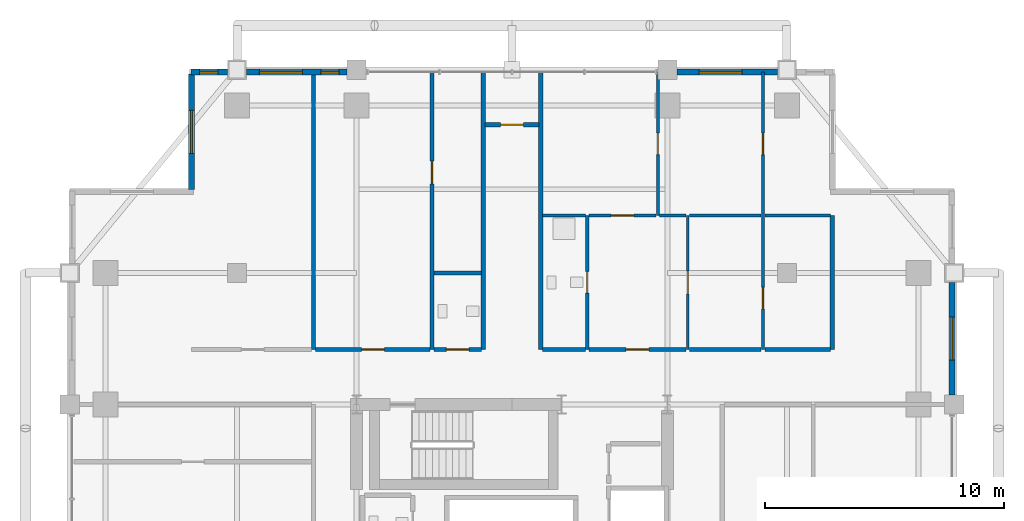
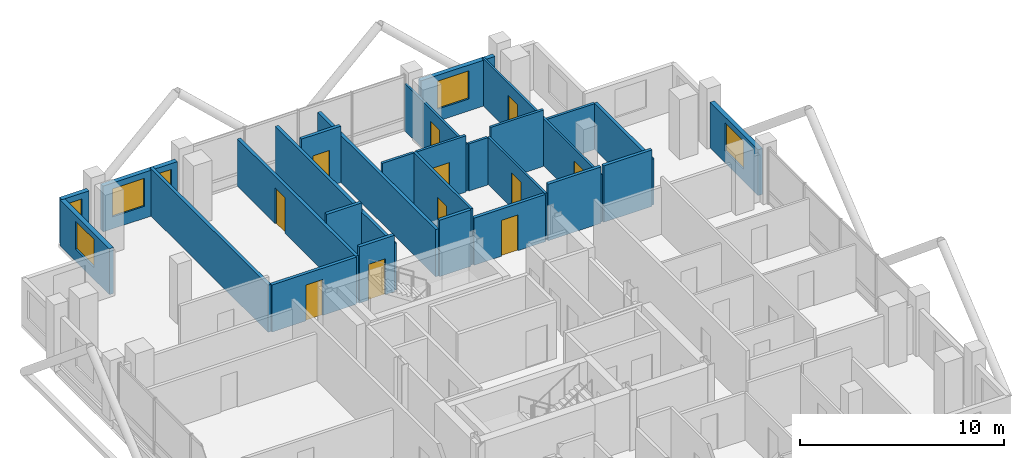
# One storey, part 23 of 26: 27 walls, 11 doors, 6 windows, 17 openings.
"""IFC4 building model written with IfcOpenShell, lengths in metres."""

from ifc_helpers import new_model, si_unit, direction, frame, frame_2d, origin, place, context, subcontext, project, spatial, rectangle, extrude, material, layer, layer_set, type_object, element, fill, save


model = new_model("IFC4")

# Units and contexts
model_context = context("Model", 3, precision=1e-05, world=origin(), true_north=direction((0.0, 1.0)))
body_context = subcontext(model_context, "Body", "Model", "MODEL_VIEW")
ifc_project = project(units=[si_unit("LENGTHUNIT", "METRE"), si_unit("AREAUNIT", "SQUARE_METRE"), si_unit("VOLUMEUNIT", "CUBIC_METRE"), si_unit("PLANEANGLEUNIT", "RADIAN"), si_unit("MASSUNIT", "GRAM", prefix="KILO")], contexts=[model_context])

# Site, building, storey
site_placement = place(None, origin())
site = spatial("IfcSite", under=ifc_project, at=site_placement, CompositionType="ELEMENT")
building_placement = place(site_placement, origin())
building = spatial("IfcBuilding", under=site, at=building_placement, Name="Barlavira Tower and Art Museum", CompositionType="ELEMENT")
storey_placement = place(building_placement, frame((0.0, 0.0, 176.39990234375)))
storey = spatial("IfcBuildingStorey", under=building, at=storey_placement, Name="L45", CompositionType="ELEMENT", Elevation=176.39990234375)

# Wall, opening, door
ifc_material_1 = material(Name="Gypsum acoustic stud partition", Category="gypsum")
ifc_layer_1 = layer(ifc_material_1, 0.1201171875, Name="Gypsum acoustic stud partition")
ifc_layer_set_1 = layer_set([ifc_layer_1], Name="Gypsum acoustic stud partition")
wall_type_1 = type_object("IfcWallType", Name="Apartment Internal Acoustic Partition 120", PredefinedType="PARTITIONING", material=ifc_layer_set_1)
wall_1_placement = place(storey_placement, frame((6.10009765625, 15.39990234375, 0.0), z_axis=(0.0, 0.0, 1.0), x_axis=(0.0, 1.0, 0.0)))
wall_1 = element("IfcWall", 1, at=wall_1_placement, inside=storey, type_object=wall_type_1, Name="L45 Partition Wall 16", PredefinedType="PARTITIONING", context=body_context, shape_type="SweptSolid", body=[
    extrude(rectangle(XDim=6.0, YDim=0.1201171875, at=frame_2d((3.0, 0.0))), origin(), (0.0, 0.0, 1.0), 2.826171875),
])
opening_1_placement = place(wall_1_placement, frame((2.550048828125, 0.0, 0.0)))
opening_1 = element("IfcOpeningElement", 2, at=opening_1_placement, cuts=wall_1, Name="Opening D-01", PredefinedType="OPENING", context=body_context, shape_type="SweptSolid", body=[
    extrude(rectangle(XDim=0.89990234375, YDim=2.10009765625, at=frame_2d((0.449951171875, 1.050048828125))), frame((0.0, 0.070068359375, 0.0), z_axis=(0.0, -1.0, 0.0), x_axis=(1.0, 0.0, 0.0)), (0.0, 0.0, 1.0), 0.14013671875),
])
ifc_material_2 = material(Name="Engineered coastal hardwood", Category="wood")
door_type_1 = type_object("IfcDoorType", Name="Internal Bedroom Timber Flush Door 900x2100", OperationType="NOTDEFINED", PredefinedType="DOOR", material=ifc_material_2)
door_1_placement = place(opening_1_placement, origin())
door_1 = element("IfcDoor", 3, at=door_1_placement, inside=storey, type_object=door_type_1, Name="Apartment NE1 Bedroom 1 Door", OperationType="SINGLE_SWING_LEFT", OverallHeight=2.10009765625, OverallWidth=0.89990234375, PredefinedType="DOOR", context=body_context, shape_type="SweptSolid", body=[
    extrude(rectangle(XDim=0.89990234375, YDim=2.10009765625, at=frame_2d((0.449951171875, 1.050048828125))), frame((0.0, 0.02490234375, 0.0), z_axis=(0.0, -1.0, 0.0), x_axis=(1.0, 0.0, 0.0)), (0.0, 0.0, 1.0), 0.050048828125),
])
fill(opening_1, door_1)

wall_2_placement = place(storey_placement, frame((7.35009765625, 9.800048828125, 0.0), z_axis=(0.0, 0.0, 1.0), x_axis=(0.0, 1.0, 0.0)))
wall_2 = element("IfcWall", 4, at=wall_2_placement, inside=storey, type_object=wall_type_1, Name="L45 Partition Wall 18", PredefinedType="PARTITIONING", context=body_context, shape_type="SweptSolid", body=[
    extrude(rectangle(XDim=5.599853515625, YDim=0.1201171875, at=frame_2d((2.7998046875, 0.0))), origin(), (0.0, 0.0, 1.0), 2.826171875),
])
opening_2_placement = place(wall_2_placement, frame((2.324951171875, 0.0, 0.0)))
opening_2 = element("IfcOpeningElement", 5, at=opening_2_placement, cuts=wall_2, Name="Opening D-02", PredefinedType="OPENING", context=body_context, shape_type="SweptSolid", body=[
    extrude(rectangle(XDim=0.949951171875, YDim=2.10009765625, at=frame_2d((0.47509765625, 1.050048828125))), frame((0.0, 0.070068359375, 0.0), z_axis=(0.0, -1.0, 0.0), x_axis=(1.0, 0.0, 0.0)), (0.0, 0.0, 1.0), 0.14013671875),
])
door_type_2 = type_object("IfcDoorType", Name="Living and Salon Glazed-Leaf Door 950x2100", OperationType="NOTDEFINED", PredefinedType="DOOR", material=ifc_material_2)
door_2_placement = place(opening_2_placement, origin())
door_2 = element("IfcDoor", 6, at=door_2_placement, inside=storey, type_object=door_type_2, Name="Apartment NE1 Kitchen Door", OperationType="SINGLE_SWING_RIGHT", OverallHeight=2.10009765625, OverallWidth=0.949951171875, PredefinedType="DOOR", context=body_context, shape_type="SweptSolid", body=[
    extrude(rectangle(XDim=0.949951171875, YDim=2.10009765625, at=frame_2d((0.47509765625, 1.050048828125))), frame((0.0, 0.02490234375, 0.0), z_axis=(0.0, -1.0, 0.0), x_axis=(1.0, 0.0, 0.0)), (0.0, 0.0, 1.0), 0.050048828125),
])
fill(opening_2, door_2)

# Wall, openings, doors
wall_3_placement = place(storey_placement, frame((10.5, 9.800048828125, 0.0), z_axis=(0.0, 0.0, 1.0), x_axis=(0.0, 1.0, 0.0)))
wall_3 = element("IfcWall", 7, at=wall_3_placement, inside=storey, type_object=wall_type_1, Name="L45 Partition Wall 21", PredefinedType="PARTITIONING", context=body_context, shape_type="SweptSolid", body=[
    extrude(rectangle(XDim=11.599853515625, YDim=0.1201171875, at=frame_2d((5.7998046875, 0.0))), origin(), (0.0, 0.0, 1.0), 2.826171875),
])
opening_3_placement = place(wall_3_placement, frame((1.694091796875, 0.0, 0.0)))
opening_3 = element("IfcOpeningElement", 8, at=opening_3_placement, cuts=wall_3, Name="Opening D-01", PredefinedType="OPENING", context=body_context, shape_type="SweptSolid", body=[
    extrude(rectangle(XDim=0.89990234375, YDim=2.10009765625, at=frame_2d((0.449951171875, 1.050048828125))), frame((0.0, 0.070068359375, 0.0), z_axis=(0.0, -1.0, 0.0), x_axis=(1.0, 0.0, 0.0)), (0.0, 0.0, 1.0), 0.14013671875),
])
opening_4_placement = place(wall_3_placement, frame((8.14990234375, 0.0, 0.0)))
opening_4 = element("IfcOpeningElement", 9, at=opening_4_placement, cuts=wall_3, Name="Opening D-01", PredefinedType="OPENING", context=body_context, shape_type="SweptSolid", body=[
    extrude(rectangle(XDim=0.89990234375, YDim=2.10009765625, at=frame_2d((0.449951171875, 1.050048828125))), frame((0.0, 0.070068359375, 0.0), z_axis=(0.0, -1.0, 0.0), x_axis=(1.0, 0.0, 0.0)), (0.0, 0.0, 1.0), 0.14013671875),
])
door_3_placement = place(opening_3_placement, origin())
door_3 = element("IfcDoor", 10, at=door_3_placement, inside=storey, type_object=door_type_1, Name="Apartment NE1 Walk-In Dressing Room Door", OperationType="SINGLE_SWING_LEFT", OverallHeight=2.10009765625, OverallWidth=0.89990234375, PredefinedType="DOOR", context=body_context, shape_type="SweptSolid", body=[
    extrude(rectangle(XDim=0.89990234375, YDim=2.10009765625, at=frame_2d((0.449951171875, 1.050048828125))), frame((0.0, 0.02490234375, 0.0), z_axis=(0.0, -1.0, 0.0), x_axis=(1.0, 0.0, 0.0)), (0.0, 0.0, 1.0), 0.050048828125),
])
fill(opening_3, door_3)
door_4_placement = place(opening_4_placement, origin())
door_4 = element("IfcDoor", 11, at=door_4_placement, inside=storey, type_object=door_type_1, Name="Apartment NE1 Bedroom 2 Door", OperationType="SINGLE_SWING_RIGHT", OverallHeight=2.10009765625, OverallWidth=0.89990234375, PredefinedType="DOOR", context=body_context, shape_type="SweptSolid", body=[
    extrude(rectangle(XDim=0.89990234375, YDim=2.10009765625, at=frame_2d((0.449951171875, 1.050048828125))), frame((0.0, 0.02490234375, 0.0), z_axis=(0.0, -1.0, 0.0), x_axis=(1.0, 0.0, 0.0)), (0.0, 0.0, 1.0), 0.050048828125),
])
fill(opening_4, door_4)

# Wall
ifc_layer_2 = layer(ifc_material_1, 0.179931640625, Name="Gypsum acoustic stud partition")
ifc_layer_set_2 = layer_set([ifc_layer_2], Name="Gypsum acoustic stud partition")
wall_type_2 = type_object("IfcWallType", Name="Inter-Tenancy Party Partition Wall 180", PredefinedType="PARTITIONING", material=ifc_layer_set_2)
wall_4_placement = place(storey_placement, frame((-8.300048828125, 9.800048828125, 0.0), z_axis=(0.0, 0.0, 1.0), x_axis=(0.0, 1.0, 0.0)))
element("IfcWall", 12, at=wall_4_placement, inside=storey, type_object=wall_type_2, Name="L45 Partition Wall 3", PredefinedType="PARTITIONING", context=body_context, shape_type="SweptSolid", body=[
    extrude(rectangle(XDim=11.599853515625, YDim=0.179931640625, at=frame_2d((5.7998046875, 0.0))), origin(), (0.0, 0.0, 1.0), 2.826171875),
])

# Wall, opening, door
wall_5_placement = place(storey_placement, frame((-3.35009765625, 9.800048828125, 0.0), z_axis=(0.0, 0.0, 1.0), x_axis=(0.0, 1.0, 0.0)))
wall_5 = element("IfcWall", 13, at=wall_5_placement, inside=storey, type_object=wall_type_2, Name="L45 Partition Wall 7", PredefinedType="PARTITIONING", context=body_context, shape_type="SweptSolid", body=[
    extrude(rectangle(XDim=11.599853515625, YDim=0.179931640625, at=frame_2d((5.7998046875, 0.0))), origin(), (0.0, 0.0, 1.0), 2.826171875),
])
opening_5_placement = place(wall_5_placement, frame((6.925048828125, 0.0, 0.0)))
opening_5 = element("IfcOpeningElement", 14, at=opening_5_placement, cuts=wall_5, Name="Opening FD-60", PredefinedType="OPENING", context=body_context, shape_type="SweptSolid", body=[
    extrude(rectangle(XDim=0.949951171875, YDim=2.14990234375, at=frame_2d((0.47509765625, 1.074951171875))), frame((0.0, 0.10009765625, 0.0), z_axis=(0.0, -1.0, 0.0), x_axis=(1.0, 0.0, 0.0)), (0.0, 0.0, 1.0), 0.199951171875),
])
ifc_material_3 = material(Name="Brushed stainless steel", Category="steel")
door_type_3 = type_object("IfcDoorType", Name="Apartment Entrance and Riser Fire Door 950x2150 FD60S", OperationType="NOTDEFINED", PredefinedType="DOOR", material=ifc_material_3)
door_5_placement = place(opening_5_placement, origin())
door_5 = element("IfcDoor", 15, at=door_5_placement, inside=storey, type_object=door_type_3, Name="Thermal Relaxation Lounge Door", OperationType="SINGLE_SWING_LEFT", OverallHeight=2.14990234375, OverallWidth=0.949951171875, PredefinedType="DOOR", context=body_context, shape_type="SweptSolid", body=[
    extrude(rectangle(XDim=0.949951171875, YDim=2.14990234375, at=frame_2d((0.47509765625, 1.074951171875))), frame((0.0, 0.02490234375, 0.0), z_axis=(0.0, -1.0, 0.0), x_axis=(1.0, 0.0, 0.0)), (0.0, 0.0, 1.0), 0.050048828125),
])
fill(opening_5, door_5)

# Walls
for number, where, z_axis, x_axis, name in (
    (16, (-1.199951171875, 9.800048828125, 0.0), (0.0, 0.0, 1.0), (0.0, 1.0, 0.0), "L45 Partition Wall 9"),
    (17, (1.199951171875, 9.800048828125, 0.0), (0.0, 0.0, 1.0), (0.0, 1.0, 0.0), "L45 Partition Wall 11"),
):
    element("IfcWall", number, at=place(storey_placement, frame(where, z_axis=z_axis, x_axis=x_axis)), inside=storey, type_object=wall_type_2, Name=name, PredefinedType="PARTITIONING", context=body_context, shape_type="SweptSolid", body=[
        extrude(rectangle(XDim=11.599853515625, YDim=0.179931640625, at=frame_2d((5.7998046875, 0.0))), origin(), (0.0, 0.0, 1.0), 2.826171875),
    ])
wall_6_placement = place(storey_placement, frame((13.39990234375, 9.800048828125, 0.0), z_axis=(0.0, 0.0, 1.0), x_axis=(0.0, 1.0, 0.0)))
element("IfcWall", 18, at=wall_6_placement, inside=storey, type_object=wall_type_2, Name="L45 Partition Wall 24", PredefinedType="PARTITIONING", context=body_context, shape_type="SweptSolid", body=[
    extrude(rectangle(XDim=5.599853515625, YDim=0.179931640625, at=frame_2d((2.7998046875, 0.0))), origin(), (0.0, 0.0, 1.0), 2.748046875),
])

# Wall, opening, door
wall_7_placement = place(storey_placement, frame((-8.219970703125, 9.800048828125, 0.0), z_axis=(0.0, 0.0, 1.0), x_axis=(1.0, 0.0, 0.0)))
wall_7 = element("IfcWall", 19, at=wall_7_placement, inside=storey, type_object=wall_type_2, Name="L45 Partition Wall 56", PredefinedType="PARTITIONING", context=body_context, shape_type="SweptSolid", body=[
    extrude(rectangle(XDim=4.7900390625, YDim=0.179931640625, at=frame_2d((2.39501953125, 0.0))), origin(), (0.0, 0.0, 1.0), 2.826171875),
])
opening_6_placement = place(wall_7_placement, frame((1.93505859375, 0.0, 0.0)))
opening_6 = element("IfcOpeningElement", 20, at=opening_6_placement, cuts=wall_7, Name="Opening FD-60", PredefinedType="OPENING", context=body_context, shape_type="SweptSolid", body=[
    extrude(rectangle(XDim=0.949951171875, YDim=2.14990234375, at=frame_2d((0.47509765625, 1.074951171875))), frame((0.0, 0.10009765625, 0.0), z_axis=(0.0, -1.0, 0.0), x_axis=(1.0, 0.0, 0.0)), (0.0, 0.0, 1.0), 0.199951171875),
])
door_6_placement = place(opening_6_placement, origin())
door_6 = element("IfcDoor", 21, at=door_6_placement, inside=storey, type_object=door_type_3, Name="Coastal Hydrotherapy and Yoga Lounge Door", OperationType="SINGLE_SWING_LEFT", OverallHeight=2.14990234375, OverallWidth=0.949951171875, PredefinedType="DOOR", context=body_context, shape_type="SweptSolid", body=[
    extrude(rectangle(XDim=0.949951171875, YDim=2.14990234375, at=frame_2d((0.47509765625, 1.074951171875))), frame((0.0, 0.02490234375, 0.0), z_axis=(0.0, -1.0, 0.0), x_axis=(1.0, 0.0, 0.0)), (0.0, 0.0, 1.0), 0.050048828125),
])
fill(opening_6, door_6)

wall_8_placement = place(storey_placement, frame((-3.27001953125, 9.800048828125, 0.0), z_axis=(0.0, 0.0, 1.0), x_axis=(1.0, 0.0, 0.0)))
wall_8 = element("IfcWall", 22, at=wall_8_placement, inside=storey, type_object=wall_type_2, Name="L45 Partition Wall 57", PredefinedType="PARTITIONING", context=body_context, shape_type="SweptSolid", body=[
    extrude(rectangle(XDim=1.989990234375, YDim=0.179931640625, at=frame_2d((0.9951171875, 0.0))), origin(), (0.0, 0.0, 1.0), 3.380126953125),
])
opening_7_placement = place(wall_8_placement, frame((0.52490234375, 0.0, 0.0)))
opening_7 = element("IfcOpeningElement", 23, at=opening_7_placement, cuts=wall_8, Name="Opening FD-60", PredefinedType="OPENING", context=body_context, shape_type="SweptSolid", body=[
    extrude(rectangle(XDim=0.949951171875, YDim=2.14990234375, at=frame_2d((0.47509765625, 1.074951171875))), frame((0.0, 0.10009765625, 0.0), z_axis=(0.0, -1.0, 0.0), x_axis=(1.0, 0.0, 0.0)), (0.0, 0.0, 1.0), 0.199951171875),
])
door_7_placement = place(opening_7_placement, origin())
door_7 = element("IfcDoor", 24, at=door_7_placement, inside=storey, type_object=door_type_3, Name="Wellness Changing and Accessible Shower WC Door", OperationType="SINGLE_SWING_RIGHT", OverallHeight=2.14990234375, OverallWidth=0.949951171875, PredefinedType="DOOR", context=body_context, shape_type="SweptSolid", body=[
    extrude(rectangle(XDim=0.949951171875, YDim=2.14990234375, at=frame_2d((0.47509765625, 1.074951171875))), frame((0.0, 0.02490234375, 0.0), z_axis=(0.0, -1.0, 0.0), x_axis=(1.0, 0.0, 0.0)), (0.0, 0.0, 1.0), 0.050048828125),
])
fill(opening_7, door_7)

# Wall
wall_9_placement = place(storey_placement, frame((1.280029296875, 9.800048828125, 0.0), z_axis=(0.0, 0.0, 1.0), x_axis=(1.0, 0.0, 0.0)))
element("IfcWall", 25, at=wall_9_placement, inside=storey, type_object=wall_type_2, Name="L45 Partition Wall 58", PredefinedType="PARTITIONING", context=body_context, shape_type="SweptSolid", body=[
    extrude(rectangle(XDim=1.7900390625, YDim=0.179931640625, at=frame_2d((0.89501953125, 0.0))), origin(), (0.0, 0.0, 1.0), 3.380126953125),
])

# Wall, opening, door
wall_10_placement = place(storey_placement, frame((3.22998046875, 9.800048828125, 0.0), z_axis=(0.0, 0.0, 1.0), x_axis=(1.0, 0.0, 0.0)))
wall_10 = element("IfcWall", 26, at=wall_10_placement, inside=storey, type_object=wall_type_2, Name="L45 Partition Wall 59", PredefinedType="PARTITIONING", context=body_context, shape_type="SweptSolid", body=[
    extrude(rectangle(XDim=4.0400390625, YDim=0.179931640625, at=frame_2d((2.02001953125, 0.0))), origin(), (0.0, 0.0, 1.0), 2.826171875),
])
opening_8_placement = place(wall_10_placement, frame((1.544921875, 0.0, 0.0)))
opening_8 = element("IfcOpeningElement", 27, at=opening_8_placement, cuts=wall_10, Name="Opening FD-60", PredefinedType="OPENING", context=body_context, shape_type="SweptSolid", body=[
    extrude(rectangle(XDim=0.949951171875, YDim=2.14990234375, at=frame_2d((0.47509765625, 1.074951171875))), frame((0.0, 0.10009765625, 0.0), z_axis=(0.0, -1.0, 0.0), x_axis=(1.0, 0.0, 0.0)), (0.0, 0.0, 1.0), 0.199951171875),
])
door_8_placement = place(opening_8_placement, origin())
door_8 = element("IfcDoor", 28, at=door_8_placement, inside=storey, type_object=door_type_3, Name="Apartment Entrance Hall NE1 Door", OperationType="SINGLE_SWING_LEFT", OverallHeight=2.14990234375, OverallWidth=0.949951171875, PredefinedType="DOOR", context=body_context, shape_type="SweptSolid", body=[
    extrude(rectangle(XDim=0.949951171875, YDim=2.14990234375, at=frame_2d((0.47509765625, 1.074951171875))), frame((0.0, 0.02490234375, 0.0), z_axis=(0.0, -1.0, 0.0), x_axis=(1.0, 0.0, 0.0)), (0.0, 0.0, 1.0), 0.050048828125),
])
fill(opening_8, door_8)

# Walls
wall_11_placement = place(storey_placement, frame((7.429931640625, 9.800048828125, 0.0), z_axis=(0.0, 0.0, 1.0), x_axis=(1.0, 0.0, 0.0)))
element("IfcWall", 29, at=wall_11_placement, inside=storey, type_object=wall_type_2, Name="L45 Partition Wall 60", PredefinedType="PARTITIONING", context=body_context, shape_type="SweptSolid", body=[
    extrude(rectangle(XDim=2.989990234375, YDim=0.179931640625, at=frame_2d((1.4951171875, 0.0))), origin(), (0.0, 0.0, 1.0), 3.380126953125),
])
wall_12_placement = place(storey_placement, frame((10.580078125, 9.800048828125, 0.0), z_axis=(0.0, 0.0, 1.0), x_axis=(1.0, 0.0, 0.0)))
element("IfcWall", 30, at=wall_12_placement, inside=storey, type_object=wall_type_2, Name="L45 Partition Wall 61", PredefinedType="PARTITIONING", context=body_context, shape_type="SweptSolid", body=[
    extrude(rectangle(XDim=2.739990234375, YDim=0.179931640625, at=frame_2d((1.3701171875, 0.0))), origin(), (0.0, 0.0, 1.0), 3.380126953125),
])
wall_13_placement = place(storey_placement, frame((-3.27001953125, 13.0, 0.0), z_axis=(0.0, 0.0, 1.0), x_axis=(1.0, 0.0, 0.0)))
element("IfcWall", 31, at=wall_13_placement, inside=storey, type_object=wall_type_2, Name="L45 Partition Wall 62", PredefinedType="PARTITIONING", context=body_context, shape_type="SweptSolid", body=[
    extrude(rectangle(XDim=1.989990234375, YDim=0.179931640625, at=frame_2d((0.9951171875, 0.0))), origin(), (0.0, 0.0, 1.0), 3.380126953125),
])

# Wall, opening, door
wall_14_placement = place(storey_placement, frame((-1.1201171875, 19.199951171875, 0.0), z_axis=(0.0, 0.0, 1.0), x_axis=(1.0, 0.0, 0.0)))
wall_14 = element("IfcWall", 32, at=wall_14_placement, inside=storey, type_object=wall_type_2, Name="L45 Partition Wall 68", PredefinedType="PARTITIONING", context=body_context, shape_type="SweptSolid", body=[
    extrude(rectangle(XDim=2.240234375, YDim=0.179931640625, at=frame_2d((1.1201171875, 0.0))), origin(), (0.0, 0.0, 1.0), 3.380126953125),
])
opening_9_placement = place(wall_14_placement, frame((0.64501953125, 0.0, 0.0)))
opening_9 = element("IfcOpeningElement", 33, at=opening_9_placement, cuts=wall_14, Name="Opening FD-60", PredefinedType="OPENING", context=body_context, shape_type="SweptSolid", body=[
    extrude(rectangle(XDim=0.949951171875, YDim=2.14990234375, at=frame_2d((0.47509765625, 1.074951171875))), frame((0.0, 0.10009765625, 0.0), z_axis=(0.0, -1.0, 0.0), x_axis=(1.0, 0.0, 0.0)), (0.0, 0.0, 1.0), 0.199951171875),
])
door_9_placement = place(opening_9_placement, origin())
door_9 = element("IfcDoor", 34, at=door_9_placement, inside=storey, type_object=door_type_3, Name="L45 North Ocean Alcove Door", OperationType="SINGLE_SWING_LEFT", OverallHeight=2.14990234375, OverallWidth=0.949951171875, PredefinedType="DOOR", context=body_context, shape_type="SweptSolid", body=[
    extrude(rectangle(XDim=0.949951171875, YDim=2.14990234375, at=frame_2d((0.47509765625, 1.074951171875))), frame((0.0, 0.02490234375, 0.0), z_axis=(0.0, -1.0, 0.0), x_axis=(1.0, 0.0, 0.0)), (0.0, 0.0, 1.0), 0.050048828125),
])
fill(opening_9, door_9)

ifc_layer_3 = layer(ifc_material_1, 0.139892578125, Name="Gypsum acoustic stud partition")
ifc_layer_set_3 = layer_set([ifc_layer_3], Name="Gypsum acoustic stud partition")
wall_type_3 = type_object("IfcWallType", Name="Moisture-Resistant Bathroom Partition 140", PredefinedType="PARTITIONING", material=ifc_layer_set_3)
wall_15_placement = place(storey_placement, frame((3.14990234375, 9.800048828125, 0.0), z_axis=(0.0, 0.0, 1.0), x_axis=(0.0, 1.0, 0.0)))
wall_15 = element("IfcWall", 35, at=wall_15_placement, inside=storey, type_object=wall_type_3, Name="L45 Partition Wall 13", PredefinedType="PARTITIONING", context=body_context, shape_type="SweptSolid", body=[
    extrude(rectangle(XDim=5.599853515625, YDim=0.139892578125, at=frame_2d((2.7998046875, 0.0))), origin(), (0.0, 0.0, 1.0), 3.380126953125),
])
opening_10_placement = place(wall_15_placement, frame((2.35009765625, 0.0, 0.0)))
opening_10 = element("IfcOpeningElement", 36, at=opening_10_placement, cuts=wall_15, Name="Opening D-WC", PredefinedType="OPENING", context=body_context, shape_type="SweptSolid", body=[
    extrude(rectangle(XDim=0.89990234375, YDim=2.10009765625, at=frame_2d((0.449951171875, 1.050048828125))), frame((0.0, 0.080078125, 0.0), z_axis=(0.0, -1.0, 0.0), x_axis=(1.0, 0.0, 0.0)), (0.0, 0.0, 1.0), 0.159912109375),
])
door_type_4 = type_object("IfcDoorType", Name="Accessible Bathroom Flush Door 900x2100", OperationType="NOTDEFINED", PredefinedType="DOOR", material=ifc_material_2)
door_10_placement = place(opening_10_placement, origin())
door_10 = element("IfcDoor", 37, at=door_10_placement, inside=storey, type_object=door_type_4, Name="Apartment NE1 Hall Bathroom Door", OperationType="SINGLE_SWING_RIGHT", OverallHeight=2.10009765625, OverallWidth=0.89990234375, PredefinedType="DOOR", context=body_context, shape_type="SweptSolid", body=[
    extrude(rectangle(XDim=0.89990234375, YDim=2.10009765625, at=frame_2d((0.449951171875, 1.050048828125))), frame((0.0, 0.02490234375, 0.0), z_axis=(0.0, -1.0, 0.0), x_axis=(1.0, 0.0, 0.0)), (0.0, 0.0, 1.0), 0.050048828125),
])
fill(opening_10, door_10)

# Wall
wall_16_placement = place(storey_placement, frame((1.280029296875, 15.39990234375, 0.0), z_axis=(0.0, 0.0, 1.0), x_axis=(1.0, 0.0, 0.0)))
element("IfcWall", 38, at=wall_16_placement, inside=storey, type_object=wall_type_3, Name="L45 Partition Wall 63", PredefinedType="PARTITIONING", context=body_context, shape_type="SweptSolid", body=[
    extrude(rectangle(XDim=1.7900390625, YDim=0.139892578125, at=frame_2d((0.89501953125, 0.0))), origin(), (0.0, 0.0, 1.0), 3.380126953125),
])

# Wall, opening, door
wall_17_placement = place(storey_placement, frame((3.22998046875, 15.39990234375, 0.0), z_axis=(0.0, 0.0, 1.0), x_axis=(1.0, 0.0, 0.0)))
wall_17 = element("IfcWall", 39, at=wall_17_placement, inside=storey, type_object=wall_type_3, Name="L45 Partition Wall 64", PredefinedType="PARTITIONING", context=body_context, shape_type="SweptSolid", body=[
    extrude(rectangle(XDim=2.7900390625, YDim=0.139892578125, at=frame_2d((1.39501953125, 0.0))), origin(), (0.0, 0.0, 1.0), 3.380126953125),
])
opening_11_placement = place(wall_17_placement, frame((0.9150390625, 0.0, 0.0)))
opening_11 = element("IfcOpeningElement", 40, at=opening_11_placement, cuts=wall_17, Name="Opening D-02", PredefinedType="OPENING", context=body_context, shape_type="SweptSolid", body=[
    extrude(rectangle(XDim=0.949951171875, YDim=2.10009765625, at=frame_2d((0.47509765625, 1.050048828125))), frame((0.0, 0.080078125, 0.0), z_axis=(0.0, -1.0, 0.0), x_axis=(1.0, 0.0, 0.0)), (0.0, 0.0, 1.0), 0.159912109375),
])
door_11_placement = place(opening_11_placement, origin())
door_11 = element("IfcDoor", 41, at=door_11_placement, inside=storey, type_object=door_type_2, Name="Apartment NE1 Living Lounge Door", OperationType="SINGLE_SWING_RIGHT", OverallHeight=2.10009765625, OverallWidth=0.949951171875, PredefinedType="DOOR", context=body_context, shape_type="SweptSolid", body=[
    extrude(rectangle(XDim=0.949951171875, YDim=2.10009765625, at=frame_2d((0.47509765625, 1.050048828125))), frame((0.0, 0.02490234375, 0.0), z_axis=(0.0, -1.0, 0.0), x_axis=(1.0, 0.0, 0.0)), (0.0, 0.0, 1.0), 0.050048828125),
])
fill(opening_11, door_11)

# Walls
wall_18_placement = place(storey_placement, frame((6.179931640625, 15.39990234375, 0.0), z_axis=(0.0, 0.0, 1.0), x_axis=(1.0, 0.0, 0.0)))
element("IfcWall", 42, at=wall_18_placement, inside=storey, type_object=wall_type_3, Name="L45 Partition Wall 65", PredefinedType="PARTITIONING", context=body_context, shape_type="SweptSolid", body=[
    extrude(rectangle(XDim=1.090087890625, YDim=0.139892578125, at=frame_2d((0.544921875, 0.0))), origin(), (0.0, 0.0, 1.0), 2.826171875),
])
wall_19_placement = place(storey_placement, frame((7.429931640625, 15.39990234375, 0.0), z_axis=(0.0, 0.0, 1.0), x_axis=(1.0, 0.0, 0.0)))
element("IfcWall", 43, at=wall_19_placement, inside=storey, type_object=wall_type_3, Name="L45 Partition Wall 66", PredefinedType="PARTITIONING", context=body_context, shape_type="SweptSolid", body=[
    extrude(rectangle(XDim=2.989990234375, YDim=0.139892578125, at=frame_2d((1.4951171875, 0.0))), origin(), (0.0, 0.0, 1.0), 3.380126953125),
])
wall_20_placement = place(storey_placement, frame((10.580078125, 15.39990234375, 0.0), z_axis=(0.0, 0.0, 1.0), x_axis=(1.0, 0.0, 0.0)))
element("IfcWall", 44, at=wall_20_placement, inside=storey, type_object=wall_type_3, Name="L45 Partition Wall 67", PredefinedType="PARTITIONING", context=body_context, shape_type="SweptSolid", body=[
    extrude(rectangle(XDim=2.739990234375, YDim=0.139892578125, at=frame_2d((1.3701171875, 0.0))), origin(), (0.0, 0.0, 1.0), 2.748046875),
])

# Wall, opening, window
ifc_material_4 = material(Name="Precast concrete C40", Category="concrete")
ifc_layer_4 = layer(ifc_material_4, 0.25, Name="Precast concrete C40")
ifc_layer_set_4 = layer_set([ifc_layer_4], Name="Precast concrete C40")
wall_type_4 = type_object("IfcWallType", Name="Notched Corner Spandrel Wall 250 Precast Concrete C40", PredefinedType="SOLIDWALL", material=ifc_layer_set_4)
wall_21_placement = place(storey_placement, frame((11.10498046875, 21.39990234375, 0.0), z_axis=(0.0, 0.0, 1.0), x_axis=(-1.0, 0.0, 0.0)))
wall_21 = element("IfcWall", 45, at=wall_21_placement, inside=storey, type_object=wall_type_4, Name="L45 Coastal Facade Pier Wall CW3-L45-N-2", PredefinedType="SOLIDWALL", context=body_context, shape_type="SweptSolid", body=[
    extrude(rectangle(XDim=4.2099609375, YDim=0.25, at=frame_2d((2.10498046875, 0.0))), origin(), (0.0, 0.0, 1.0), 2.748046875),
])
opening_12_placement = place(wall_21_placement, frame((1.47509765625, 0.0, 0.719970703125)))
opening_12 = element("IfcOpeningElement", 46, at=opening_12_placement, cuts=wall_21, Name="Opening WN-01", PredefinedType="OPENING", context=body_context, shape_type="SweptSolid", body=[
    extrude(rectangle(XDim=1.800048828125, YDim=1.679931640625, at=frame_2d((0.89990234375, 0.83984375))), frame((0.0, 0.135009765625, 0.0), z_axis=(0.0, -1.0, 0.0), x_axis=(1.0, 0.0, 0.0)), (0.0, 0.0, 1.0), 0.27001953125),
])
ifc_material_5 = material(Name="Low-iron coastal laminated glass", Category="glass")
window_type_1 = type_object("IfcWindowType", Name="Recessed Notch Corner Punch Window 1800x1680", PartitioningType="SINGLE_PANEL", PredefinedType="WINDOW", material=ifc_material_5)
window_1_placement = place(opening_12_placement, origin())
window_1 = element("IfcWindow", 47, at=window_1_placement, inside=storey, type_object=window_type_1, Name="L45 Punched Facade Window EWP-CW3-L45-N-2-1", OverallHeight=1.679931640625, OverallWidth=1.800048828125, PartitioningType="SINGLE_PANEL", PredefinedType="WINDOW", context=body_context, shape_type="SweptSolid", body=[
    extrude(rectangle(XDim=1.800048828125, YDim=1.679931640625, at=frame_2d((0.89990234375, 0.83984375))), frame((0.0, 0.030029296875, 0.0), z_axis=(0.0, -1.0, 0.0), x_axis=(1.0, 0.0, 0.0)), (0.0, 0.0, 1.0), 0.06005859375),
])
fill(opening_12, window_1)

# Wall, openings, windows
wall_22_placement = place(storey_placement, frame((-6.89501953125, 21.39990234375, 0.0), z_axis=(0.0, 0.0, 1.0), x_axis=(-1.0, 0.0, 0.0)))
wall_22 = element("IfcWall", 48, at=wall_22_placement, inside=storey, type_object=wall_type_4, Name="L45 Coastal Facade Pier Wall CW3-L45-N-4", PredefinedType="SOLIDWALL", context=body_context, shape_type="SweptSolid", body=[
    extrude(rectangle(XDim=4.2099609375, YDim=0.25, at=frame_2d((2.10498046875, 0.0))), origin(), (0.0, 0.0, 1.0), 2.748046875),
])
opening_13_placement = place(wall_22_placement, frame((0.3349609375, 0.0, 0.719970703125)))
opening_13 = element("IfcOpeningElement", 49, at=opening_13_placement, cuts=wall_22, Name="Opening WN-06", PredefinedType="OPENING", context=body_context, shape_type="SweptSolid", body=[
    extrude(rectangle(XDim=0.760009765625, YDim=1.679931640625, at=frame_2d((0.3798828125, 0.83984375))), frame((0.0, 0.135009765625, 0.0), z_axis=(0.0, -1.0, 0.0), x_axis=(1.0, 0.0, 0.0)), (0.0, 0.0, 1.0), 0.27001953125),
])
opening_14_placement = place(wall_22_placement, frame((1.875, 0.0, 0.719970703125)))
opening_14 = element("IfcOpeningElement", 50, at=opening_14_placement, cuts=wall_22, Name="Opening WN-01", PredefinedType="OPENING", context=body_context, shape_type="SweptSolid", body=[
    extrude(rectangle(XDim=1.800048828125, YDim=1.679931640625, at=frame_2d((0.89990234375, 0.83984375))), frame((0.0, 0.135009765625, 0.0), z_axis=(0.0, -1.0, 0.0), x_axis=(1.0, 0.0, 0.0)), (0.0, 0.0, 1.0), 0.27001953125),
])
window_type_2 = type_object("IfcWindowType", Name="Recessed Narrow Pier Window 760x1680", PartitioningType="SINGLE_PANEL", PredefinedType="WINDOW", material=ifc_material_5)
window_2_placement = place(opening_13_placement, origin())
window_2 = element("IfcWindow", 51, at=window_2_placement, inside=storey, type_object=window_type_2, Name="L45 Punched Facade Window EWP-CW3-L45-N-4-1", OverallHeight=1.679931640625, OverallWidth=0.760009765625, PartitioningType="SINGLE_PANEL", PredefinedType="WINDOW", context=body_context, shape_type="SweptSolid", body=[
    extrude(rectangle(XDim=0.760009765625, YDim=1.679931640625, at=frame_2d((0.3798828125, 0.83984375))), frame((0.0, 0.030029296875, 0.0), z_axis=(0.0, -1.0, 0.0), x_axis=(1.0, 0.0, 0.0)), (0.0, 0.0, 1.0), 0.06005859375),
])
fill(opening_13, window_2)
window_3_placement = place(opening_14_placement, origin())
window_3 = element("IfcWindow", 52, at=window_3_placement, inside=storey, type_object=window_type_1, Name="L45 Punched Facade Window EWP-CW3-L45-N-4-2", OverallHeight=1.679931640625, OverallWidth=1.800048828125, PartitioningType="SINGLE_PANEL", PredefinedType="WINDOW", context=body_context, shape_type="SweptSolid", body=[
    extrude(rectangle(XDim=1.800048828125, YDim=1.679931640625, at=frame_2d((0.89990234375, 0.83984375))), frame((0.0, 0.030029296875, 0.0), z_axis=(0.0, -1.0, 0.0), x_axis=(1.0, 0.0, 0.0)), (0.0, 0.0, 1.0), 0.06005859375),
])
fill(opening_14, window_3)

# Wall, opening, window
wall_23_placement = place(storey_placement, frame((-11.89501953125, 21.39990234375, 0.0), z_axis=(0.0, 0.0, 1.0), x_axis=(-1.0, 0.0, 0.0)))
wall_23 = element("IfcWall", 53, at=wall_23_placement, inside=storey, type_object=wall_type_4, Name="L45 Coastal Facade Pier Wall CW3-L45-N-5", PredefinedType="SOLIDWALL", context=body_context, shape_type="SweptSolid", body=[
    extrude(rectangle(XDim=1.530029296875, YDim=0.25, at=frame_2d((0.76513671875, 0.0))), origin(), (0.0, 0.0, 1.0), 2.748046875),
])
opening_15_placement = place(wall_23_placement, frame((0.407958984375, 0.0, 0.719970703125)))
opening_15 = element("IfcOpeningElement", 54, at=opening_15_placement, cuts=wall_23, Name="Opening WN-06", PredefinedType="OPENING", context=body_context, shape_type="SweptSolid", body=[
    extrude(rectangle(XDim=0.760009765625, YDim=1.679931640625, at=frame_2d((0.3798828125, 0.83984375))), frame((0.0, 0.135009765625, 0.0), z_axis=(0.0, -1.0, 0.0), x_axis=(1.0, 0.0, 0.0)), (0.0, 0.0, 1.0), 0.27001953125),
])
window_4_placement = place(opening_15_placement, origin())
window_4 = element("IfcWindow", 55, at=window_4_placement, inside=storey, type_object=window_type_2, Name="L45 Punched Facade Window EWP-CW3-L45-N-5-1", OverallHeight=1.679931640625, OverallWidth=0.760009765625, PartitioningType="SINGLE_PANEL", PredefinedType="WINDOW", context=body_context, shape_type="SweptSolid", body=[
    extrude(rectangle(XDim=0.760009765625, YDim=1.679931640625, at=frame_2d((0.3798828125, 0.83984375))), frame((0.0, 0.030029296875, 0.0), z_axis=(0.0, -1.0, 0.0), x_axis=(1.0, 0.0, 0.0)), (0.0, 0.0, 1.0), 0.06005859375),
])
fill(opening_15, window_4)

wall_24_placement = place(storey_placement, frame((18.39990234375, 7.89501953125, 0.0), z_axis=(0.0, 0.0, 1.0), x_axis=(0.0, 1.0, 0.0)))
wall_24 = element("IfcWall", 56, at=wall_24_placement, inside=storey, type_object=wall_type_4, Name="L45 Coastal Facade Pier Wall CW3-L45-E-4", PredefinedType="SOLIDWALL", context=body_context, shape_type="SweptSolid", body=[
    extrude(rectangle(XDim=4.7099609375, YDim=0.25, at=frame_2d((2.35498046875, 0.0))), origin(), (0.0, 0.0, 1.0), 2.748046875),
])
opening_16_placement = place(wall_24_placement, frame((1.455078125, 0.0, 0.719970703125)))
opening_16 = element("IfcOpeningElement", 57, at=opening_16_placement, cuts=wall_24, Name="Opening WN-01", PredefinedType="OPENING", context=body_context, shape_type="SweptSolid", body=[
    extrude(rectangle(XDim=1.800048828125, YDim=1.679931640625, at=frame_2d((0.89990234375, 0.83984375))), frame((0.0, 0.135009765625, 0.0), z_axis=(0.0, -1.0, 0.0), x_axis=(1.0, 0.0, 0.0)), (0.0, 0.0, 1.0), 0.27001953125),
])
window_5_placement = place(opening_16_placement, origin())
window_5 = element("IfcWindow", 58, at=window_5_placement, inside=storey, type_object=window_type_1, Name="L45 Punched Facade Window EWP-CW3-L45-E-4-1", OverallHeight=1.679931640625, OverallWidth=1.800048828125, PartitioningType="SINGLE_PANEL", PredefinedType="WINDOW", context=body_context, shape_type="SweptSolid", body=[
    extrude(rectangle(XDim=1.800048828125, YDim=1.679931640625, at=frame_2d((0.89990234375, 0.83984375))), frame((0.0, 0.030029296875, 0.0), z_axis=(0.0, -1.0, 0.0), x_axis=(1.0, 0.0, 0.0)), (0.0, 0.0, 1.0), 0.06005859375),
])
fill(opening_16, window_5)

wall_25_placement = place(storey_placement, frame((-13.39990234375, 21.320068359375, 0.0), z_axis=(0.0, 0.0, 1.0), x_axis=(0.0, -1.0, 0.0)))
wall_25 = element("IfcWall", 59, at=wall_25_placement, inside=storey, type_object=wall_type_4, Name="L45 Notch Corner Wall NW1", PredefinedType="SOLIDWALL", context=body_context, shape_type="SweptSolid", body=[
    extrude(rectangle(XDim=4.840087890625, YDim=0.25, at=frame_2d((2.419921875, 0.0))), origin(), (0.0, 0.0, 1.0), 2.748046875),
])
opening_17_placement = place(wall_25_placement, frame((1.52001953125, 0.0, 0.719970703125)))
opening_17 = element("IfcOpeningElement", 60, at=opening_17_placement, cuts=wall_25, Name="Opening WN-01", PredefinedType="OPENING", context=body_context, shape_type="SweptSolid", body=[
    extrude(rectangle(XDim=1.800048828125, YDim=1.679931640625, at=frame_2d((0.89990234375, 0.83984375))), frame((0.0, 0.135009765625, 0.0), z_axis=(0.0, -1.0, 0.0), x_axis=(1.0, 0.0, 0.0)), (0.0, 0.0, 1.0), 0.27001953125),
])
window_6_placement = place(opening_17_placement, origin())
window_6 = element("IfcWindow", 61, at=window_6_placement, inside=storey, type_object=window_type_1, Name="L45 Punched Facade Window EW-NTC-L45-NW1-1", OverallHeight=1.679931640625, OverallWidth=1.800048828125, PartitioningType="SINGLE_PANEL", PredefinedType="WINDOW", context=body_context, shape_type="SweptSolid", body=[
    extrude(rectangle(XDim=1.800048828125, YDim=1.679931640625, at=frame_2d((0.89990234375, 0.83984375))), frame((0.0, 0.030029296875, 0.0), z_axis=(0.0, -1.0, 0.0), x_axis=(1.0, 0.0, 0.0)), (0.0, 0.0, 1.0), 0.06005859375),
])
fill(opening_17, window_6)

save(model, "model.ifc")
